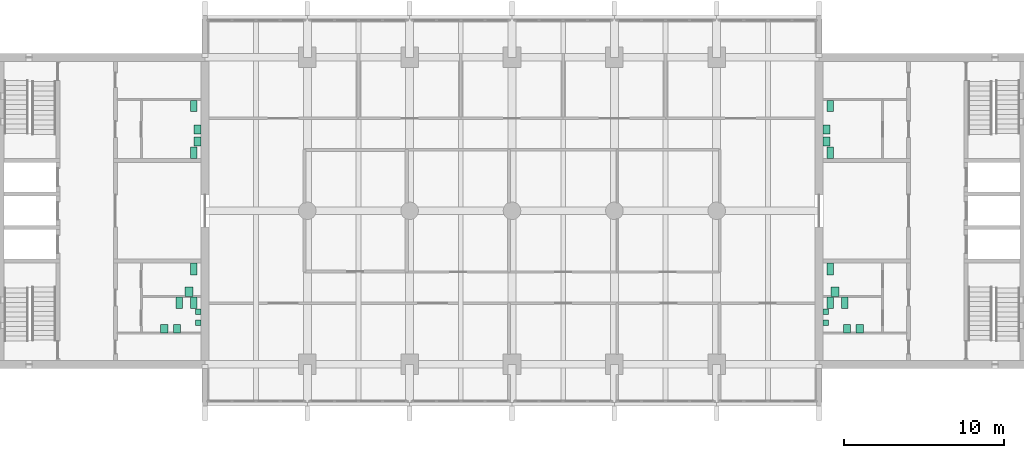
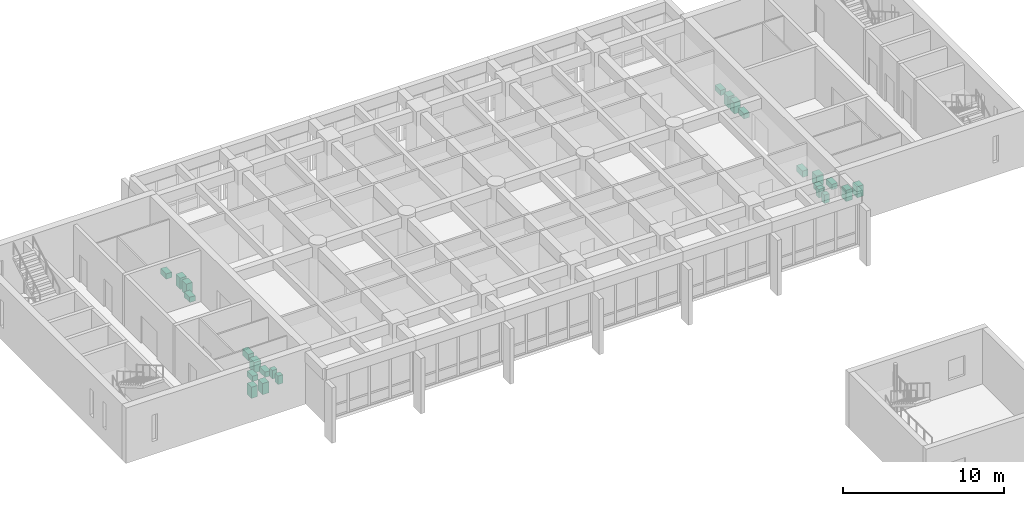
# One storey, part 18 of 18: 24 sanitary terminals.
"""IFC4 building model written with IfcOpenShell, lengths in metres."""

from ifc_helpers import new_model, si_unit, direction, frame, origin, origin_2d, place, context, subcontext, project, spatial, rectangle, extrude, material, type_object, element, save


model = new_model("IFC4")

# Units and contexts
model_context = context("Model", 3, precision=1e-05, world=origin(), true_north=direction((0.0, 1.0)))
body_context = subcontext(model_context, "Body", "Model", "MODEL_VIEW")
ifc_project = project(units=[si_unit("LENGTHUNIT", "METRE"), si_unit("AREAUNIT", "SQUARE_METRE"), si_unit("VOLUMEUNIT", "CUBIC_METRE"), si_unit("PLANEANGLEUNIT", "RADIAN"), si_unit("MASSUNIT", "GRAM", prefix="KILO")], contexts=[model_context])

# Site, building, storey
site_placement = place(None, origin())
site = spatial("IfcSite", under=ifc_project, at=site_placement, CompositionType="ELEMENT")
building_placement = place(site_placement, origin())
building = spatial("IfcBuilding", under=site, at=building_placement, Name="Fogon Plaza Fire Station and Headquarters Tower", CompositionType="ELEMENT")
storey_placement = place(building_placement, frame((0.0, 0.0, 12.89990234375)))
storey = spatial("IfcBuildingStorey", under=building, at=storey_placement, Name="L03", CompositionType="ELEMENT", Elevation=12.89990234375)

# Sanitary terminals
ifc_material_1 = material(Name="Vitreous china")
sanitary_terminal_type_1 = type_object("IfcSanitaryTerminalType", Name="Accessible Hand Basin 600x500", PredefinedType="WASHHANDBASIN", material=ifc_material_1)
for number, where, z_axis, x_axis, name in (
    (1, (24.60009765625, 38.14990234375, 0.0), (0.0, 0.0, 1.0), (1.0, 0.0, 0.0), "Accessible Hand Basin"),
    (2, (65.0, 38.14990234375, 0.0), (0.0, 0.0, 1.0), (1.0, 0.0, 0.0), "Accessible Hand Basin"),
):
    element("IfcSanitaryTerminal", number, at=place(storey_placement, frame(where, z_axis=z_axis, x_axis=x_axis)), inside=storey, type_object=sanitary_terminal_type_1, Name=name, PredefinedType="WASHHANDBASIN", context=body_context, shape_type="SweptSolid", body=[
        extrude(rectangle(XDim=0.5, YDim=0.60009765625, at=origin_2d()), origin(), (0.0, 0.0, 1.0), 0.800048828125),
    ])
ifc_material_2 = material(Name="Vitreous china")
sanitary_terminal_type_2 = type_object("IfcSanitaryTerminalType", Name="Accessible WC Pan 400x750", PredefinedType="TOILETPAN", material=ifc_material_2)
for number, where, z_axis, x_axis, name in (
    (3, (24.89990234375, 39.550048828125, 0.0), (0.0, 0.0, 1.0), (1.0, 0.0, 0.0), "Accessible WC Pan"),
    (4, (64.699951171875, 39.550048828125, 0.0), (0.0, 0.0, 1.0), (1.0, 0.0, 0.0), "Accessible WC Pan"),
):
    element("IfcSanitaryTerminal", number, at=place(storey_placement, frame(where, z_axis=z_axis, x_axis=x_axis)), inside=storey, type_object=sanitary_terminal_type_2, Name=name, PredefinedType="TOILETPAN", context=body_context, shape_type="SweptSolid", body=[
        extrude(rectangle(XDim=0.39990234375, YDim=0.75, at=origin_2d()), origin(), (0.0, 0.0, 1.0), 0.47998046875),
    ])
ifc_material_3 = material(Name="Vitreous china")
sanitary_terminal_type_3 = type_object("IfcSanitaryTerminalType", Name="Hand Basin 550x450", PredefinedType="WASHHANDBASIN", material=ifc_material_3)
for number, where, z_axis, x_axis, name in (
    (5, (23.85009765625, 35.824951171875, 0.0), (0.0, 0.0, 1.0), (1.0, 0.0, 0.0), "Hand Basin"),
    (6, (23.050048828125, 35.824951171875, 0.0), (0.0, 0.0, 1.0), (1.0, 0.0, 0.0), "Hand Basin"),
    (7, (25.125, 47.52490234375, 0.0), (0.0, 0.0, 1.0), (1.0, 0.0, 0.0), "Hand Basin"),
    (8, (25.125, 48.27490234375, 0.0), (0.0, 0.0, 1.0), (1.0, 0.0, 0.0), "Hand Basin"),
    (9, (65.75, 35.824951171875, 0.0), (0.0, 0.0, 1.0), (1.0, 0.0, 0.0), "Hand Basin"),
    (10, (66.550048828125, 35.824951171875, 0.0), (0.0, 0.0, 1.0), (1.0, 0.0, 0.0), "Hand Basin"),
    (11, (64.47509765625, 47.52490234375, 0.0), (0.0, 0.0, 1.0), (1.0, 0.0, 0.0), "Hand Basin"),
    (12, (64.47509765625, 48.27490234375, 0.0), (0.0, 0.0, 1.0), (1.0, 0.0, 0.0), "Hand Basin"),
):
    element("IfcSanitaryTerminal", number, at=place(storey_placement, frame(where, z_axis=z_axis, x_axis=x_axis)), inside=storey, type_object=sanitary_terminal_type_3, Name=name, PredefinedType="WASHHANDBASIN", context=body_context, shape_type="SweptSolid", body=[
        extrude(rectangle(XDim=0.449951171875, YDim=0.550048828125, at=origin_2d()), origin(), (0.0, 0.0, 1.0), 0.85009765625),
    ])
ifc_material_4 = material(Name="Vitreous china")
sanitary_terminal_type_4 = type_object("IfcSanitaryTerminalType", Name="Urinal 350x350", PredefinedType="URINAL", material=ifc_material_4)
for number, where, z_axis, x_axis, name in (
    (13, (25.175048828125, 36.199951171875, 0.000244140625), (0.0, 0.0, 1.0), (1.0, 0.0, 0.0), "Urinal"),
    (14, (25.175048828125, 36.89990234375, 0.000244140625), (0.0, 0.0, 1.0), (1.0, 0.0, 0.0), "Urinal"),
    (15, (64.425048828125, 36.199951171875, 0.000244140625), (0.0, 0.0, 1.0), (1.0, 0.0, 0.0), "Urinal"),
    (16, (64.425048828125, 36.89990234375, 0.000244140625), (0.0, 0.0, 1.0), (1.0, 0.0, 0.0), "Urinal"),
):
    element("IfcSanitaryTerminal", number, at=place(storey_placement, frame(where, z_axis=z_axis, x_axis=x_axis)), inside=storey, type_object=sanitary_terminal_type_4, Name=name, PredefinedType="URINAL", context=body_context, shape_type="SweptSolid", body=[
        extrude(rectangle(XDim=0.35009765625, YDim=0.35009765625, at=origin_2d()), origin(), (0.0, 0.0, 1.0), 0.64990234375),
    ])
ifc_material_5 = material(Name="Vitreous china")
sanitary_terminal_type_5 = type_object("IfcSanitaryTerminalType", Name="WC Pan 400x700", PredefinedType="TOILETPAN", material=ifc_material_5)
for number, where, z_axis, x_axis, name in (
    (17, (24.89990234375, 37.449951171875, 0.000244140625), (0.0, 0.0, 1.0), (1.0, 0.0, 0.0), "WC Pan"),
    (18, (24.0, 37.449951171875, 0.000244140625), (0.0, 0.0, 1.0), (1.0, 0.0, 0.0), "WC Pan"),
    (19, (24.89990234375, 49.75, 0.000244140625), (0.0, 0.0, 1.0), (1.0, 0.0, 0.0), "WC Pan"),
    (20, (24.89990234375, 46.824951171875, 0.000244140625), (0.0, 0.0, 1.0), (1.0, 0.0, 0.0), "WC Pan"),
    (21, (64.699951171875, 37.449951171875, 0.000244140625), (0.0, 0.0, 1.0), (1.0, 0.0, 0.0), "WC Pan"),
    (22, (65.60009765625, 37.449951171875, 0.000244140625), (0.0, 0.0, 1.0), (1.0, 0.0, 0.0), "WC Pan"),
    (23, (64.699951171875, 49.75, 0.000244140625), (0.0, 0.0, 1.0), (1.0, 0.0, 0.0), "WC Pan"),
    (24, (64.699951171875, 46.824951171875, 0.000244140625), (0.0, 0.0, 1.0), (1.0, 0.0, 0.0), "WC Pan"),
):
    element("IfcSanitaryTerminal", number, at=place(storey_placement, frame(where, z_axis=z_axis, x_axis=x_axis)), inside=storey, type_object=sanitary_terminal_type_5, Name=name, PredefinedType="TOILETPAN", context=body_context, shape_type="SweptSolid", body=[
        extrude(rectangle(XDim=0.39990234375, YDim=0.699951171875, at=origin_2d()), origin(), (0.0, 0.0, 1.0), 0.39990234375),
    ])

save(model, "model.ifc")
